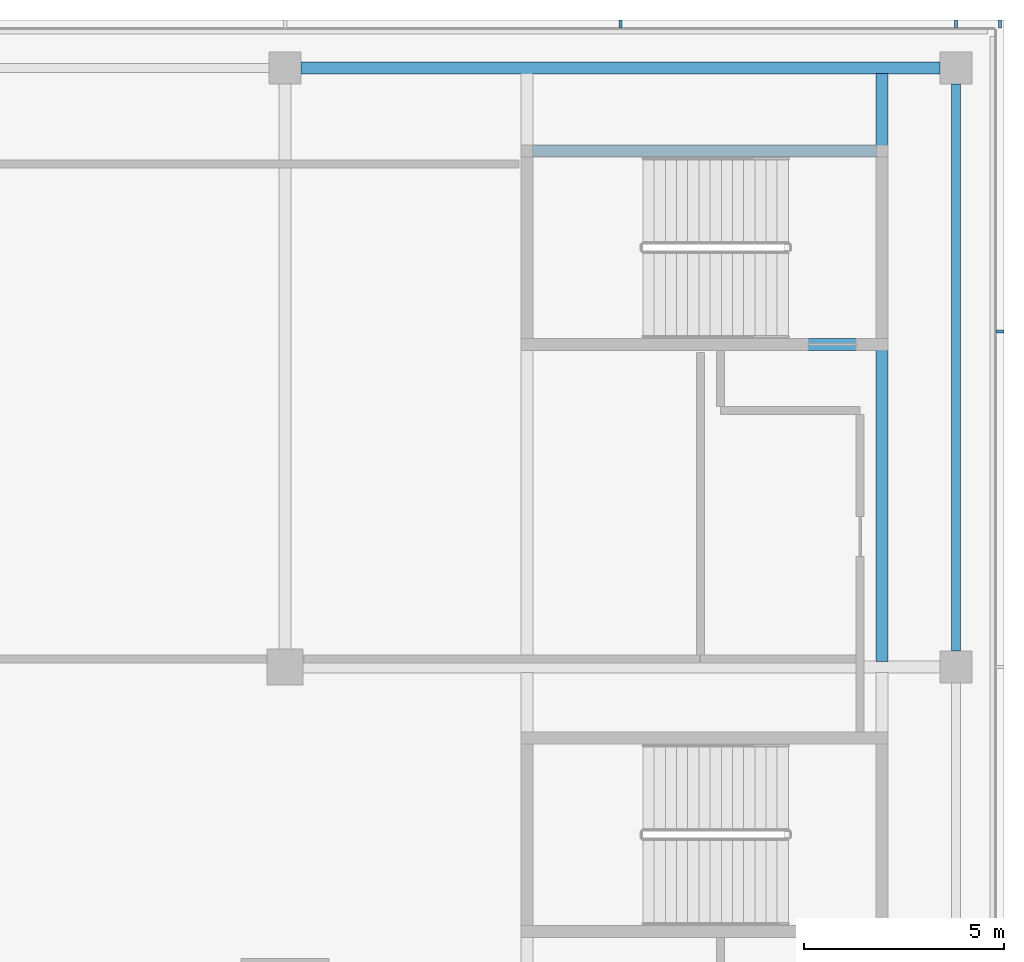
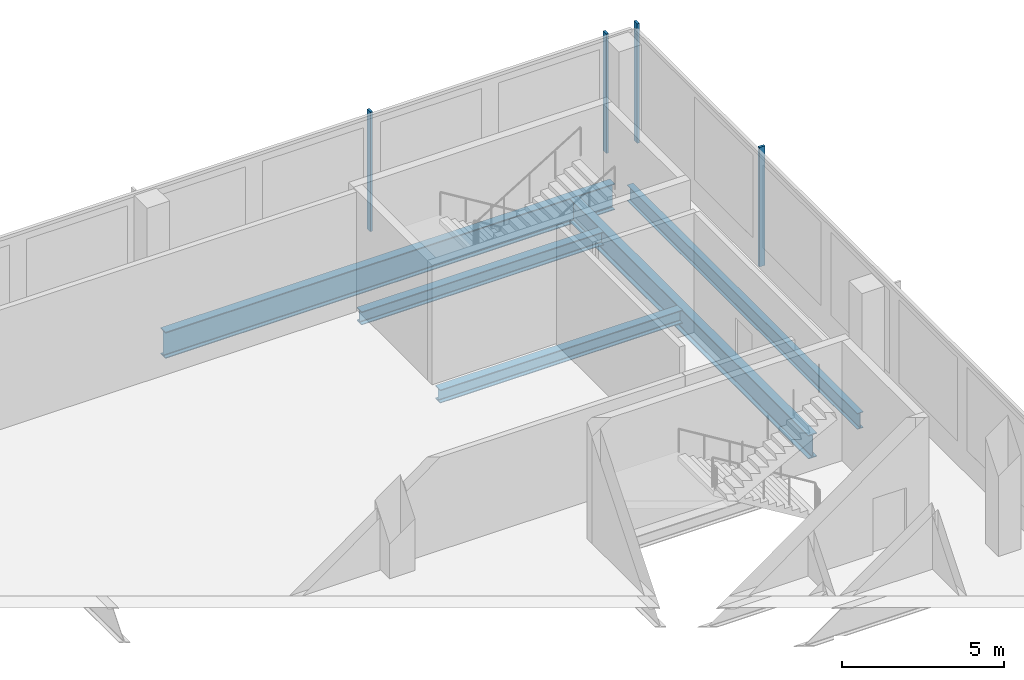
# One storey, part 21 of 39: 5 beams, 4 members, 2 elements without a shape of their own.
"""IFC4 building model written with IfcOpenShell, lengths in metres."""

import ifcopenshell
import ifcopenshell.guid

model = None  # the IFC model being written
_history = None  # IfcOwnerHistory: only IFC2X3 demands one
_inside = {}  # id of a spatial element -> (the spatial element, [elements in it])
_under = {}  # id of a project, library or spatial element -> (it, [spatial elements below it])
_declared = {}  # id of a project -> (the project, [libraries it declares])
_typed = {}  # id of a type object -> (the type object, [elements of that type])
_made_of = {}  # id of a material, layer set ... -> (it, [elements and type objects made of it])


def new_model(schema):
    """Start an empty IFC model of exactly this schema.

    Asked for "IFC4X3", IfcOpenShell would pick the latest addendum, in which some entities
    have other attributes; the version numbers below select the first issue.
    IFC2X3 requires an IfcOwnerHistory on every rooted entity: one is made here for all.
    """
    global model, _history
    if schema == "IFC4X3":
        model = ifcopenshell.file(schema_version=(4, 3, 0, 0))
    else:
        model = ifcopenshell.file(schema=schema)
    _inside.clear()
    _under.clear()
    _declared.clear()
    _typed.clear()
    _made_of.clear()
    _history = None
    if model.schema == "IFC2X3":
        org = make("IfcOrganization", Name="unknown")
        user = make(
            "IfcPersonAndOrganization",
            ThePerson=make("IfcPerson", FamilyName="unknown"),
            TheOrganization=org,
        )
        app = make(
            "IfcApplication",
            ApplicationDeveloper=org,
            Version="unknown",
            ApplicationFullName="unknown",
            ApplicationIdentifier="unknown",
        )
        _history = make(
            "IfcOwnerHistory",
            OwningUser=user,
            OwningApplication=app,
            ChangeAction="ADDED",
            CreationDate=0,
        )
    return model


def make(cls, **values):
    """One entity of the class cls with the attributes given. An attribute that is None is left unset."""
    return model.create_entity(
        cls, **{name: value for name, value in values.items() if value is not None}
    )


def rooted(cls, **values):
    """An entity with a GlobalId (a new one), such as an element, a storey or a relation."""
    return make(cls, GlobalId=ifcopenshell.guid.new(), OwnerHistory=_history, **values)


def si_unit(unit_type, name, prefix=None):
    """IfcSIUnit, for example si_unit("LENGTHUNIT", "METRE", prefix="MILLI")."""
    return make("IfcSIUnit", UnitType=unit_type, Prefix=prefix, Name=name)


def assignment(units):
    """IfcUnitAssignment: the units of a project."""
    return None if units is None else make("IfcUnitAssignment", Units=units)


def point(xyz):
    """IfcCartesianPoint."""
    return None if xyz is None else make("IfcCartesianPoint", Coordinates=xyz)


def direction(xyz):
    """IfcDirection."""
    return None if xyz is None else make("IfcDirection", DirectionRatios=xyz)


def frame(location, z_axis=None, x_axis=None):
    """IfcAxis2Placement3D, a coordinate frame: its origin and axes. An axis left out is left unset."""
    return make(
        "IfcAxis2Placement3D",
        Location=point(location),
        Axis=direction(z_axis),
        RefDirection=direction(x_axis),
    )


def frame_2d(location, x_axis=None):
    """IfcAxis2Placement2D, a coordinate frame in the plane: its origin and x axis."""
    return make(
        "IfcAxis2Placement2D", Location=point(location), RefDirection=direction(x_axis)
    )


def origin():
    """The frame at (0, 0, 0) with its axes left unset."""
    return frame((0.0, 0.0, 0.0))


def origin_2d():
    """The frame at (0, 0) in the plane with its x axis left unset."""
    return frame_2d((0.0, 0.0))


def place(relative_to, where):
    """IfcLocalPlacement: puts the frame where relative to a parent placement (None: the world)."""
    return make(
        "IfcLocalPlacement", PlacementRelTo=relative_to, RelativePlacement=where
    )


def context(
    kind, dimensions, precision=None, world=None, true_north=None, identifier=None
):
    """IfcGeometricRepresentationContext, for example the 3D "Model" context."""
    return make(
        "IfcGeometricRepresentationContext",
        ContextIdentifier=identifier,
        ContextType=kind,
        CoordinateSpaceDimension=dimensions,
        Precision=precision,
        WorldCoordinateSystem=world,
        TrueNorth=true_north,
    )


def subcontext(parent, identifier, kind, view, scale=None):
    """IfcGeometricRepresentationSubContext, for example "Body" below "Model"."""
    return make(
        "IfcGeometricRepresentationSubContext",
        ContextIdentifier=identifier,
        ContextType=kind,
        ParentContext=parent,
        TargetScale=scale,
        TargetView=view,
    )


def project(units=None, contexts=None):
    """IfcProject with its units and contexts."""
    return rooted(
        "IfcProject",
        Name="project",
        RepresentationContexts=contexts,
        UnitsInContext=assignment(units),
    )


def spatial(cls, under=None, at=None, **own):
    """A site, building, storey or space (cls), placed at a placement, below another one or the project."""
    s = rooted(cls, ObjectPlacement=at, **own)
    if under is not None:
        _under.setdefault(under.id(), (under, []))[1].append(s)
    return s


def profile(cls, at=None, kind="AREA", **sizes):
    """A parametric profile (cls). Its sizes go by their IFC names, for example OverallWidth=200.0."""
    return make(cls, ProfileType=kind, Position=at, **sizes)


def rectangle(**sizes):
    """IfcRectangleProfileDef."""
    return profile("IfcRectangleProfileDef", **sizes)


def i_section(**sizes):
    """IfcIShapeProfileDef."""
    return profile("IfcIShapeProfileDef", **sizes)


def extrude(swept, where, along, depth):
    """IfcExtrudedAreaSolid: the profile swept, set in the frame where, extruded along a direction by depth."""
    return make(
        "IfcExtrudedAreaSolid",
        SweptArea=swept,
        Position=where,
        ExtrudedDirection=direction(along),
        Depth=depth,
    )


def shape(context_of_items, identifier, shape_type, items):
    """IfcShapeRepresentation: the items that make up one representation, for example the "Body"."""
    return make(
        "IfcShapeRepresentation",
        ContextOfItems=context_of_items,
        RepresentationIdentifier=identifier,
        RepresentationType=shape_type,
        Items=items,
    )


def material(Name=None, Category=None):
    """IfcMaterial."""
    return make("IfcMaterial", Name=Name, Category=Category)


def material_profile(
    of_material, cross_section, Name=None, Category=None, Priority=None
):
    """IfcMaterialProfile: a cross section and its material."""
    return make(
        "IfcMaterialProfile",
        Name=Name,
        Material=of_material,
        Profile=cross_section,
        Priority=Priority,
        Category=Category,
    )


def profile_set(profiles, Name=None, composite=None):
    """IfcMaterialProfileSet."""
    return make(
        "IfcMaterialProfileSet",
        Name=Name,
        MaterialProfiles=profiles,
        CompositeProfile=composite,
    )


def made_of(thing, what):
    """Note that an element or type object is made of a material, layer set ...; save() writes the relation."""
    if what is not None:
        _made_of.setdefault(what.id(), (what, []))[1].append(thing)
    return thing


def type_object(cls, material=None, **own):
    """A type object (cls), such as IfcWallType, which elements share."""
    return made_of(rooted(cls, **own), material)


def element(
    cls,
    number,
    at=None,
    inside=None,
    cuts=None,
    type_object=None,
    material=None,
    context=None,
    identifier="Body",
    shape_type=None,
    held_by="IfcProductDefinitionShape",
    body=None,
    shapes=None,
    **own,
):
    """One element of the class cls, such as IfcWall. Its Tag is "e" and its number.

    at: its placement. inside: the storey or other place that contains it. cuts: it is an
    opening in that element (IfcRelVoidsElement). A single representation is given by context,
    identifier, shape_type and body (its items); several are given by shapes. held_by: the class
    of the entity that holds the representations. save() writes the other relations.
    """
    e = rooted(cls, Tag="e%d" % number, ObjectPlacement=at, **own)
    if body is not None:
        shapes = [shape(context, identifier, shape_type, body)]
    if shapes is not None:
        e.Representation = make(held_by, Representations=shapes)
    if inside is not None:
        _inside.setdefault(inside.id(), (inside, []))[1].append(e)
    if cuts is not None:
        rooted(
            "IfcRelVoidsElement", RelatingBuildingElement=cuts, RelatedOpeningElement=e
        )
    if type_object is not None:
        _typed.setdefault(type_object.id(), (type_object, []))[1].append(e)
    return made_of(e, material)


def aggregate(whole, parts):
    """IfcRelAggregates: a whole, such as a stair, and the parts it consists of."""
    return rooted("IfcRelAggregates", RelatingObject=whole, RelatedObjects=parts)


def save(model, path):
    """Write the relations noted so far, then the file.

    IfcRelAggregates (storeys below a building ...), IfcRelContainedInSpatialStructure (elements
    in a storey), IfcRelDefinesByType, IfcRelAssociatesMaterial and IfcRelDeclares: one each for
    every whole, place, type object, material and project.
    """
    for whole, parts in _under.values():
        aggregate(whole, parts)
    for where, things in _inside.values():
        rooted(
            "IfcRelContainedInSpatialStructure",
            RelatedElements=things,
            RelatingStructure=where,
        )
    for kind, things in _typed.values():
        rooted("IfcRelDefinesByType", RelatedObjects=things, RelatingType=kind)
    for what, things in _made_of.values():
        rooted("IfcRelAssociatesMaterial", RelatedObjects=things, RelatingMaterial=what)
    for by, libraries in _declared.values():
        rooted("IfcRelDeclares", RelatingContext=by, RelatedDefinitions=libraries)
    model.write(path)


model = new_model("IFC4")

# Units and contexts
model_context = context("Model", 3, precision=1e-05, world=origin(), true_north=direction((0.0, 1.0)))
body_context = subcontext(model_context, "Body", "Model", "MODEL_VIEW")
ifc_project = project(units=[si_unit("LENGTHUNIT", "METRE"), si_unit("AREAUNIT", "SQUARE_METRE"), si_unit("VOLUMEUNIT", "CUBIC_METRE"), si_unit("PLANEANGLEUNIT", "RADIAN"), si_unit("MASSUNIT", "GRAM", prefix="KILO")], contexts=[model_context])

# Site, building, storey
site_placement = place(None, origin())
site = spatial("IfcSite", under=ifc_project, at=site_placement, CompositionType="ELEMENT")
building_placement = place(site_placement, origin())
building = spatial("IfcBuilding", under=site, at=building_placement, Name="Saffron Gate Tower", CompositionType="ELEMENT")
storey_placement = place(building_placement, frame((0.0, 0.0, 14.39990234375)))
storey = spatial("IfcBuildingStorey", under=building, at=storey_placement, Name="L02", CompositionType="ELEMENT", Elevation=14.39990234375)

# Beams
ifc_material_1 = material(Name="Structural steel S355", Category="steel")
ifc_material_profile_1 = material_profile(ifc_material_1, i_section(OverallWidth=0.219970703125, OverallDepth=0.60009765625, WebThickness=0.011962890625, FlangeThickness=0.01904296875, FilletRadius=0.02392578125, at=origin_2d()))
ifc_profile_set_1 = profile_set([ifc_material_profile_1], Name="Structural steel S355")
beam_type_1 = type_object("IfcBeamType", Name="B15 IPE 600", PredefinedType="BEAM", material=ifc_profile_set_1)
beam_1_placement = place(storey_placement, frame((142.199951171875, 74.199951171875, -0.599853515625), z_axis=(0.0, 1.0, 0.0), x_axis=(-1.0, 0.0, 0.0)))
element("IfcBeam", 1, at=beam_1_placement, inside=storey, type_object=beam_type_1, Name="B15 PODIUM EDGE BEAM", PredefinedType="BEAM", context=body_context, shape_type="SweptSolid", body=[
    extrude(i_section(OverallWidth=0.219970703125, OverallDepth=0.60009765625, WebThickness=0.011962890625, FlangeThickness=0.01904296875, FilletRadius=0.02392578125, at=origin_2d()), origin(), (0.0, 0.0, 1.0), 14.199951171875),
])
ifc_material_profile_2 = material_profile(ifc_material_1, i_section(OverallWidth=0.300048828125, OverallDepth=0.89990234375, WebThickness=0.0185546875, FlangeThickness=0.034912109375, FilletRadius=0.030029296875, at=origin_2d()))
ifc_profile_set_2 = profile_set([ifc_material_profile_2], Name="Structural steel S355")
beam_type_2 = type_object("IfcBeamType", Name="B20 HEB 900", PredefinedType="BEAM", material=ifc_profile_set_2)
beam_2_placement = place(storey_placement, frame((140.35009765625, 73.93994140625, -0.75), z_axis=(0.0, 1.0, 0.0), x_axis=(-1.0, 0.0, 0.0)))
element("IfcBeam", 2, at=beam_2_placement, inside=storey, type_object=beam_type_2, Name="B20 STAIR ENCLOSURE HEADER BEAM", PredefinedType="BEAM", context=body_context, shape_type="SweptSolid", body=[
    extrude(i_section(OverallWidth=0.300048828125, OverallDepth=0.89990234375, WebThickness=0.0185546875, FlangeThickness=0.034912109375, FilletRadius=0.030029296875, at=origin_2d()), origin(), (0.0, 0.0, 1.0), 14.719970703125),
])
ifc_material_profile_3 = material_profile(ifc_material_1, i_section(OverallWidth=0.300048828125, OverallDepth=0.989990234375, WebThickness=0.0166015625, FlangeThickness=0.031005859375, FilletRadius=0.030029296875, at=origin_2d()))
ifc_profile_set_3 = profile_set([ifc_material_profile_3], Name="Structural steel S355")
beam_type_3 = type_object("IfcBeamType", Name="B21 HEA 1000", PredefinedType="BEAM", material=ifc_profile_set_3)
beam_3_placement = place(storey_placement, frame((125.800048828125, 88.800048828125, -0.794921875), z_axis=(1.0, 0.0, 0.0), x_axis=(0.0, 1.0, 0.0)))
element("IfcBeam", 3, at=beam_3_placement, inside=storey, type_object=beam_type_3, Name="B21 PODIUM EDGE BEAM", PredefinedType="BEAM", context=body_context, shape_type="SweptSolid", body=[
    extrude(i_section(OverallWidth=0.300048828125, OverallDepth=0.989990234375, WebThickness=0.0166015625, FlangeThickness=0.031005859375, FilletRadius=0.030029296875, at=origin_2d()), origin(), (0.0, 0.0, 1.0), 16.0),
])
ifc_material_profile_4 = material_profile(ifc_material_1, i_section(OverallWidth=0.300048828125, OverallDepth=0.5, WebThickness=0.014404296875, FlangeThickness=0.028076171875, FilletRadius=0.027099609375, at=origin_2d()))
ifc_profile_set_4 = profile_set([ifc_material_profile_4], Name="Structural steel S355")
beam_type_4 = type_object("IfcBeamType", Name="B9 HEB 500", PredefinedType="BEAM", material=ifc_profile_set_4)
for number, where, z_axis, x_axis, name in (
    (4, (131.590087890625, 81.875, -0.5498046875), (1.0, 0.0, 0.0), (0.0, 1.0, 0.0), "B9 STAIR ENCLOSURE TRIMMER BEAM"),
    (5, (131.590087890625, 86.72509765625, -0.5498046875), (1.0, 0.0, 0.0), (0.0, 1.0, 0.0), "B9 STAIR ENCLOSURE TRIMMER BEAM"),
):
    element("IfcBeam", number, at=place(storey_placement, frame(where, z_axis=z_axis, x_axis=x_axis)), inside=storey, type_object=beam_type_4, Name=name, PredefinedType="BEAM", context=body_context, shape_type="SweptSolid", body=[
        extrude(i_section(OverallWidth=0.300048828125, OverallDepth=0.5, WebThickness=0.014404296875, FlangeThickness=0.028076171875, FilletRadius=0.027099609375, at=origin_2d()), origin(), (0.0, 0.0, 1.0), 8.619873046875),
    ])

# Curtain wall, member
ifc_material_2 = material(Name="Aluminium, bronze anodised", Category="aluminium")
curtain_wall_type = type_object("IfcCurtainWallType", Name="CWS5 curtain wall podium ring base", PredefinedType="NOTDEFINED", material=ifc_material_2)
curtain_wall_1_placement = place(storey_placement, origin())
curtain_wall_1 = element("IfcCurtainWall", 6, at=curtain_wall_1_placement, inside=storey, type_object=curtain_wall_type, Name="CWS5 run 2", PredefinedType="NOTDEFINED")
ifc_material_profile_5 = material_profile(ifc_material_2, rectangle(XDim=0.199951171875, YDim=0.080078125, at=origin_2d()))
ifc_profile_set_5 = profile_set([ifc_material_profile_5], Name="Aluminium, bronze anodised")
member_type = type_object("IfcMemberType", Name="CWS5 mullion 80x200", PredefinedType="MULLION", material=ifc_profile_set_5)
member_1_placement = place(storey_placement, frame((143.300048828125, 82.199951171875, 0.0), z_axis=(0.0, 0.0, 1.0), x_axis=(-1.0, 0.0, 0.0)))
member_1 = element("IfcMember", 7, at=member_1_placement, type_object=member_type, Name="CWS5 mullion 9", PredefinedType="MULLION", context=body_context, shape_type="SweptSolid", body=[
    extrude(rectangle(XDim=0.199951171875, YDim=0.080078125, at=origin_2d()), origin(), (0.0, 0.0, 1.0), 4.5),
])
aggregate(curtain_wall_1, [member_1])

# Curtain wall, members
curtain_wall_2_placement = place(storey_placement, origin())
curtain_wall_2 = element("IfcCurtainWall", 8, at=curtain_wall_2_placement, inside=storey, type_object=curtain_wall_type, Name="CWS5 run 3", PredefinedType="NOTDEFINED")
member_2_placement = place(storey_placement, frame((143.300048828125, 89.89990234375, 0.0), z_axis=(0.0, 0.0, 1.0), x_axis=(0.0, -1.0, 0.0)))
member_2 = element("IfcMember", 9, at=member_2_placement, type_object=member_type, Name="CWS5 mullion 1", PredefinedType="MULLION", context=body_context, shape_type="SweptSolid", body=[
    extrude(rectangle(XDim=0.199951171875, YDim=0.080078125, at=origin_2d()), origin(), (0.0, 0.0, 1.0), 4.5),
])
member_3_placement = place(storey_placement, frame((142.199951171875, 89.89990234375, 0.0), z_axis=(0.0, 0.0, 1.0), x_axis=(0.0, -1.0, 0.0)))
member_3 = element("IfcMember", 10, at=member_3_placement, type_object=member_type, Name="CWS5 mullion 2", PredefinedType="MULLION", context=body_context, shape_type="SweptSolid", body=[
    extrude(rectangle(XDim=0.199951171875, YDim=0.080078125, at=origin_2d()), origin(), (0.0, 0.0, 1.0), 4.5),
])
member_4_placement = place(storey_placement, frame((133.800048828125, 89.89990234375, 0.0), z_axis=(0.0, 0.0, 1.0), x_axis=(0.0, -1.0, 0.0)))
member_4 = element("IfcMember", 11, at=member_4_placement, type_object=member_type, Name="CWS5 mullion 3", PredefinedType="MULLION", context=body_context, shape_type="SweptSolid", body=[
    extrude(rectangle(XDim=0.199951171875, YDim=0.080078125, at=origin_2d()), origin(), (0.0, 0.0, 1.0), 4.5),
])
aggregate(curtain_wall_2, [member_2, member_3, member_4])

save(model, "model.ifc")
